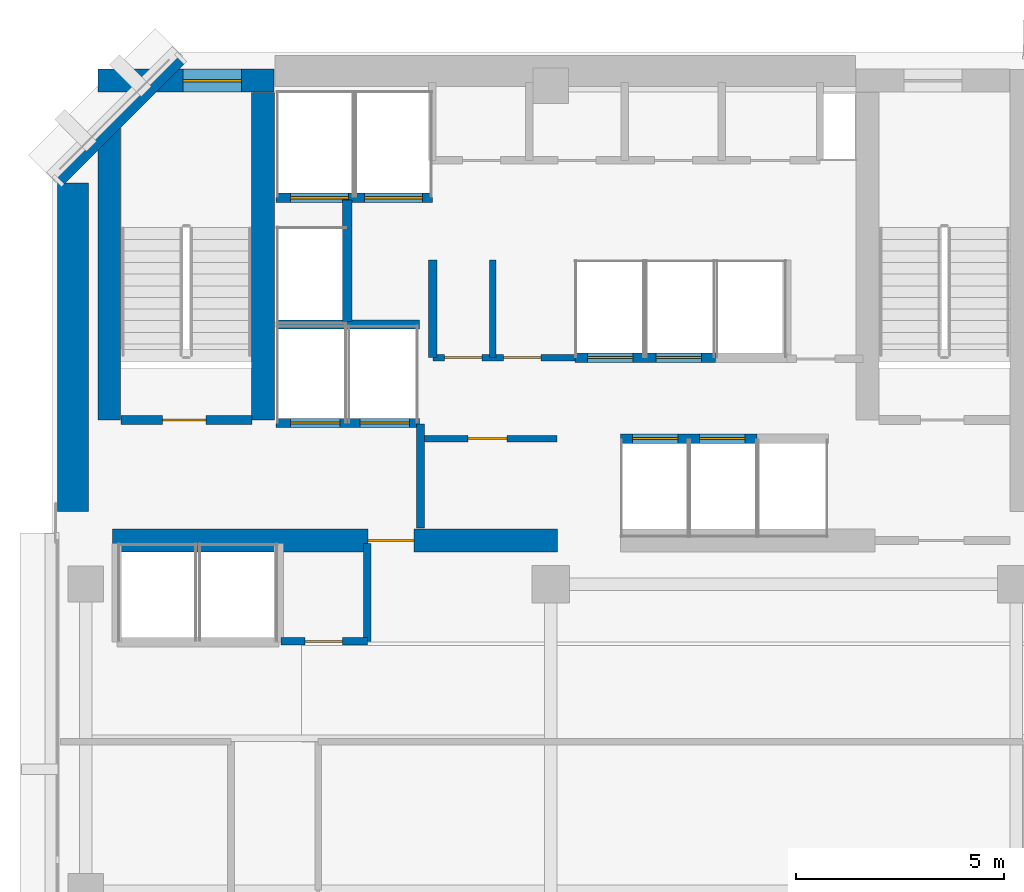
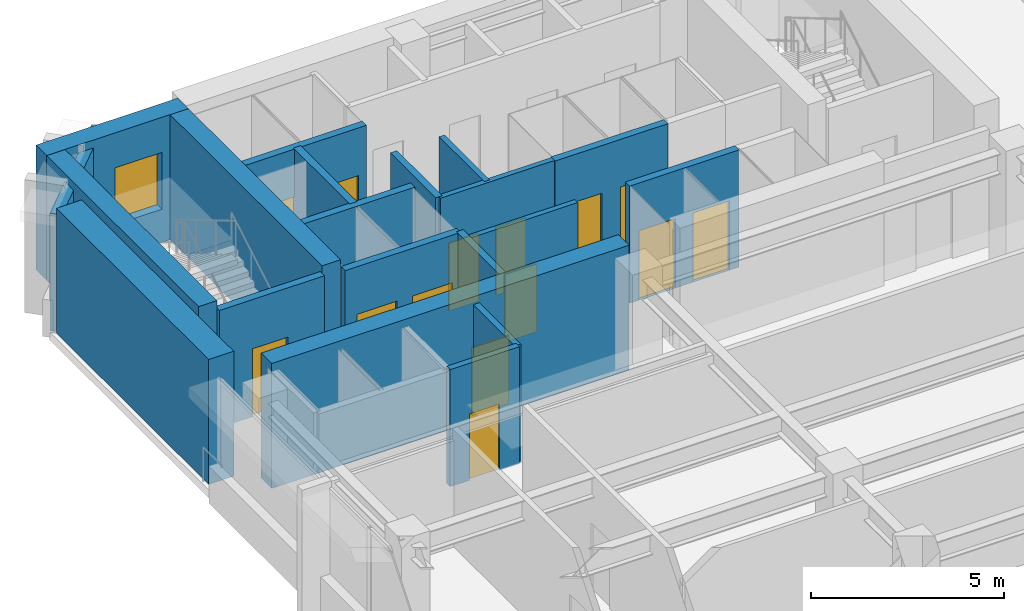
# One storey, part 7 of 11: 20 walls, 14 doors, 1 window, 15 openings.
"""IFC4 building model written with IfcOpenShell, lengths in metres."""

from ifc_helpers import new_model, si_unit, direction, frame, frame_2d, origin, place, context, subcontext, project, spatial, rectangle, extrude, material, layer, layer_set, type_object, element, fill, save


model = new_model("IFC4")

# Units and contexts
model_context = context("Model", 3, precision=1e-05, world=origin(), true_north=direction((0.0, 1.0)))
body_context = subcontext(model_context, "Body", "Model", "MODEL_VIEW")
ifc_project = project(units=[si_unit("LENGTHUNIT", "METRE"), si_unit("AREAUNIT", "SQUARE_METRE"), si_unit("VOLUMEUNIT", "CUBIC_METRE"), si_unit("PLANEANGLEUNIT", "RADIAN"), si_unit("MASSUNIT", "GRAM", prefix="KILO")], contexts=[model_context])

# Site, building, storey
site_placement = place(None, origin())
site = spatial("IfcSite", under=ifc_project, at=site_placement, CompositionType="ELEMENT")
building_placement = place(site_placement, origin())
building = spatial("IfcBuilding", under=site, at=building_placement, Name="Kefirva Bronze Tower", CompositionType="ELEMENT")
storey_placement = place(building_placement, frame((0.0, 0.0, 134.969970703125)))
storey = spatial("IfcBuildingStorey", under=building, at=storey_placement, Name="L32", CompositionType="ELEMENT", Elevation=134.969970703125)

# Wall, opening, door
ifc_material_1 = material(Name="Gypsum fireboard shaftwall")
ifc_layer_1 = layer(ifc_material_1, 0.219970703125, Name="Gypsum fireboard shaftwall")
ifc_layer_set_1 = layer_set([ifc_layer_1], Name="Gypsum fireboard shaftwall")
wall_type_1 = type_object("IfcWallType", Name="Fire-Rated Shaft Enclosure Wall 220mm", PredefinedType="PARTITIONING", material=ifc_layer_set_1)
wall_1_placement = place(storey_placement, frame((1.64990234375, 37.14990234375, 0.0), z_axis=(0.0, 0.0, 1.0), x_axis=(1.0, 0.0, 0.0)))
wall_1 = element("IfcWall", 1, at=wall_1_placement, inside=storey, type_object=wall_type_1, Name="L32 Partition W-L32-ST1S", PredefinedType="PARTITIONING", context=body_context, shape_type="SweptSolid", body=[
    extrude(rectangle(XDim=3.150146484375, YDim=0.219970703125, at=frame_2d((1.5751953125, 0.0))), origin(), (0.0, 0.0, 1.0), 3.7099609375),
])
opening_1_placement = place(wall_1_placement, frame((2.050048828125, 0.0, 0.0), z_axis=(0.0, 0.0, 1.0), x_axis=(-1.0, 0.0, 0.0)))
opening_1 = element("IfcOpeningElement", 2, at=opening_1_placement, cuts=wall_1, Name="Opening L32-D001", PredefinedType="OPENING", context=body_context, shape_type="SweptSolid", body=[
    extrude(rectangle(XDim=1.050048828125, YDim=2.14990234375, at=frame_2d((0.52490234375, 1.074951171875))), frame((0.0, 0.1201171875, 0.0), z_axis=(0.0, -1.0, 0.0), x_axis=(1.0, 0.0, 0.0)), (0.0, 0.0, 1.0), 0.239990234375),
])
ifc_material_2 = material(Name="Painted galvanized steel", Category="steel")
door_type_1 = type_object("IfcDoorType", Name="Fire Stair Enclosure Door 1050x2150 FD90S", OperationType="NOTDEFINED", PredefinedType="DOOR", material=ifc_material_2)
door_1_placement = place(opening_1_placement, origin())
door_1 = element("IfcDoor", 3, at=door_1_placement, inside=storey, type_object=door_type_1, Name="Door L32-D001", OperationType="SINGLE_SWING_RIGHT", OverallHeight=2.14990234375, OverallWidth=1.050048828125, PredefinedType="DOOR", context=body_context, shape_type="SweptSolid", body=[
    extrude(rectangle(XDim=1.050048828125, YDim=2.14990234375, at=frame_2d((0.52490234375, 1.074951171875))), frame((0.0, 0.02490234375, 0.0), z_axis=(0.0, -1.0, 0.0), x_axis=(1.0, 0.0, 0.0)), (0.0, 0.0, 1.0), 0.050048828125),
])
fill(opening_1, door_1)

# Wall, openings, doors
wall_2_placement = place(storey_placement, frame((5.3798828125, 37.080078125, 0.0), z_axis=(0.0, 0.0, 1.0), x_axis=(1.0, 0.0, 0.0)))
wall_2 = element("IfcWall", 4, at=wall_2_placement, inside=storey, type_object=wall_type_1, Name="L32 Partition W-L32-FFS", PredefinedType="PARTITIONING", context=body_context, shape_type="SweptSolid", body=[
    extrude(rectangle(XDim=3.460205078125, YDim=0.219970703125, at=frame_2d((1.72998046875, 0.0))), origin(), (0.0, 0.0, 1.0), 3.7099609375),
])
opening_2_placement = place(wall_2_placement, frame((1.550048828125, 0.0, 0.0), z_axis=(0.0, 0.0, 1.0), x_axis=(-1.0, 0.0, 0.0)))
opening_2 = element("IfcOpeningElement", 5, at=opening_2_placement, cuts=wall_2, Name="Opening L32-LD-FF1", PredefinedType="OPENING", context=body_context, shape_type="SweptSolid", body=[
    extrude(rectangle(XDim=1.199951171875, YDim=2.199951171875, at=frame_2d((0.60009765625, 1.10009765625))), frame((0.0, 0.1201171875, 0.0), z_axis=(0.0, -1.0, 0.0), x_axis=(1.0, 0.0, 0.0)), (0.0, 0.0, 1.0), 0.239990234375),
])
opening_3_placement = place(wall_2_placement, frame((3.219970703125, 0.0, 0.0), z_axis=(0.0, 0.0, 1.0), x_axis=(-1.0, 0.0, 0.0)))
opening_3 = element("IfcOpeningElement", 6, at=opening_3_placement, cuts=wall_2, Name="Opening L32-LD-FF2", PredefinedType="OPENING", context=body_context, shape_type="SweptSolid", body=[
    extrude(rectangle(XDim=1.199951171875, YDim=2.199951171875, at=frame_2d((0.60009765625, 1.10009765625))), frame((0.0, 0.1201171875, 0.0), z_axis=(0.0, -1.0, 0.0), x_axis=(1.0, 0.0, 0.0)), (0.0, 0.0, 1.0), 0.239990234375),
])
ifc_material_3 = material(Name="Stainless steel 316", Category="steel")
door_type_2 = type_object("IfcDoorType", Name="Firefighting Lift Sliding Door 1200x2200", OperationType="SLIDING_TO_RIGHT", PredefinedType="DOOR", material=ifc_material_3)
door_2_placement = place(opening_2_placement, origin())
door_2 = element("IfcDoor", 7, at=door_2_placement, inside=storey, type_object=door_type_2, Name="Door L32-LD-FF1", OperationType="SLIDING_TO_RIGHT", OverallHeight=2.199951171875, OverallWidth=1.199951171875, PredefinedType="DOOR", context=body_context, shape_type="SweptSolid", body=[
    extrude(rectangle(XDim=1.199951171875, YDim=2.199951171875, at=frame_2d((0.60009765625, 1.10009765625))), frame((0.0, 0.02490234375, 0.0), z_axis=(0.0, -1.0, 0.0), x_axis=(1.0, 0.0, 0.0)), (0.0, 0.0, 1.0), 0.050048828125),
])
fill(opening_2, door_2)
door_3_placement = place(opening_3_placement, origin())
door_3 = element("IfcDoor", 8, at=door_3_placement, inside=storey, type_object=door_type_2, Name="Door L32-LD-FF2", OperationType="SLIDING_TO_RIGHT", OverallHeight=2.199951171875, OverallWidth=1.199951171875, PredefinedType="DOOR", context=body_context, shape_type="SweptSolid", body=[
    extrude(rectangle(XDim=1.199951171875, YDim=2.199951171875, at=frame_2d((0.60009765625, 1.10009765625))), frame((0.0, 0.02490234375, 0.0), z_axis=(0.0, -1.0, 0.0), x_axis=(1.0, 0.0, 0.0)), (0.0, 0.0, 1.0), 0.050048828125),
])
fill(opening_3, door_3)

# Wall
wall_3_placement = place(storey_placement, frame((5.3798828125, 39.449951171875, 0.0), z_axis=(0.0, 0.0, 1.0), x_axis=(1.0, 0.0, 0.0)))
element("IfcWall", 9, at=wall_3_placement, inside=storey, type_object=wall_type_1, Name="L32 Partition W-L32-FFN", PredefinedType="PARTITIONING", context=body_context, shape_type="SweptSolid", body=[
    extrude(rectangle(XDim=3.460205078125, YDim=0.219970703125, at=frame_2d((1.72998046875, 0.0))), origin(), (0.0, 0.0, 1.0), 3.7099609375),
])

# Wall, openings, doors
wall_4_placement = place(storey_placement, frame((5.3798828125, 42.5, 0.0), z_axis=(0.0, 0.0, 1.0), x_axis=(1.0, 0.0, 0.0)))
wall_4 = element("IfcWall", 10, at=wall_4_placement, inside=storey, type_object=wall_type_1, Name="L32 Partition W-L32-SVS", PredefinedType="PARTITIONING", context=body_context, shape_type="SweptSolid", body=[
    extrude(rectangle(XDim=3.77001953125, YDim=0.219970703125, at=frame_2d((1.885009765625, 0.0))), origin(), (0.0, 0.0, 1.0), 3.7099609375),
])
opening_4_placement = place(wall_4_placement, frame((1.75, 0.0, 0.0), z_axis=(0.0, 0.0, 1.0), x_axis=(-1.0, 0.0, 0.0)))
opening_4 = element("IfcOpeningElement", 11, at=opening_4_placement, cuts=wall_4, Name="Opening L32-LD-SV1", PredefinedType="OPENING", context=body_context, shape_type="SweptSolid", body=[
    extrude(rectangle(XDim=1.39990234375, YDim=2.199951171875, at=frame_2d((0.699951171875, 1.10009765625))), frame((0.0, 0.1201171875, 0.0), z_axis=(0.0, -1.0, 0.0), x_axis=(1.0, 0.0, 0.0)), (0.0, 0.0, 1.0), 0.239990234375),
])
opening_5_placement = place(wall_4_placement, frame((3.52978515625, 0.0, 0.0), z_axis=(0.0, 0.0, 1.0), x_axis=(-1.0, 0.0, 0.0)))
opening_5 = element("IfcOpeningElement", 12, at=opening_5_placement, cuts=wall_4, Name="Opening L32-LD-SV2", PredefinedType="OPENING", context=body_context, shape_type="SweptSolid", body=[
    extrude(rectangle(XDim=1.39990234375, YDim=2.199951171875, at=frame_2d((0.699951171875, 1.10009765625))), frame((0.0, 0.1201171875, 0.0), z_axis=(0.0, -1.0, 0.0), x_axis=(1.0, 0.0, 0.0)), (0.0, 0.0, 1.0), 0.239990234375),
])
door_type_3 = type_object("IfcDoorType", Name="Goods Lift Bi-Parting Sliding Door 1400x2200", OperationType="SLIDING_TO_LEFT", PredefinedType="DOOR", material=ifc_material_3)
door_4_placement = place(opening_4_placement, origin())
door_4 = element("IfcDoor", 13, at=door_4_placement, inside=storey, type_object=door_type_3, Name="Door L32-LD-SV1", OperationType="SLIDING_TO_LEFT", OverallHeight=2.199951171875, OverallWidth=1.39990234375, PredefinedType="DOOR", context=body_context, shape_type="SweptSolid", body=[
    extrude(rectangle(XDim=1.39990234375, YDim=2.199951171875, at=frame_2d((0.699951171875, 1.10009765625))), frame((0.0, 0.02490234375, 0.0), z_axis=(0.0, -1.0, 0.0), x_axis=(1.0, 0.0, 0.0)), (0.0, 0.0, 1.0), 0.050048828125),
])
fill(opening_4, door_4)
door_5_placement = place(opening_5_placement, origin())
door_5 = element("IfcDoor", 14, at=door_5_placement, inside=storey, type_object=door_type_3, Name="Door L32-LD-SV2", OperationType="SLIDING_TO_LEFT", OverallHeight=2.199951171875, OverallWidth=1.39990234375, PredefinedType="DOOR", context=body_context, shape_type="SweptSolid", body=[
    extrude(rectangle(XDim=1.39990234375, YDim=2.199951171875, at=frame_2d((0.699951171875, 1.10009765625))), frame((0.0, 0.02490234375, 0.0), z_axis=(0.0, -1.0, 0.0), x_axis=(1.0, 0.0, 0.0)), (0.0, 0.0, 1.0), 0.050048828125),
])
fill(opening_5, door_5)

# Walls
wall_5_placement = place(storey_placement, frame((7.10009765625, 39.52001953125, 0.0), z_axis=(0.0, 0.0, 1.0), x_axis=(0.0, 1.0, 0.0)))
element("IfcWall", 15, at=wall_5_placement, inside=storey, type_object=wall_type_1, Name="L32 Partition W-L32-HP3E", PredefinedType="PARTITIONING", context=body_context, shape_type="SweptSolid", body=[
    extrude(rectangle(XDim=2.929931640625, YDim=0.219970703125, at=frame_2d((1.46484375, 0.0))), origin(), (0.0, 0.0, 1.0), 3.7099609375),
])
wall_6_placement = place(storey_placement, frame((9.159912109375, 38.64990234375, 0.0), z_axis=(0.0, 0.0, 1.0), x_axis=(0.0, 1.0, 0.0)))
element("IfcWall", 16, at=wall_6_placement, inside=storey, type_object=wall_type_1, Name="L32 Partition W-L32-LP3W", PredefinedType="PARTITIONING", context=body_context, shape_type="SweptSolid", body=[
    extrude(rectangle(XDim=2.35009765625, YDim=0.199951171875, at=frame_2d((1.175048828125, 0.0))), origin(), (0.0, 0.0, 1.0), 3.7099609375),
])

# Wall, openings, doors
wall_7_placement = place(storey_placement, frame((13.679931640625, 36.699951171875, 0.0), z_axis=(0.0, 0.0, 1.0), x_axis=(1.0, 0.0, 0.0)))
wall_7 = element("IfcWall", 17, at=wall_7_placement, inside=storey, type_object=wall_type_1, Name="L32 Partition W-L32-MPS", PredefinedType="PARTITIONING", context=body_context, shape_type="SweptSolid", body=[
    extrude(rectangle(XDim=3.280029296875, YDim=0.219970703125, at=frame_2d((1.64013671875, 0.0))), origin(), (0.0, 0.0, 1.0), 3.7099609375),
])
opening_6_placement = place(wall_7_placement, frame((0.280029296875, 0.0, 0.0)))
opening_6 = element("IfcOpeningElement", 18, at=opening_6_placement, cuts=wall_7, Name="Opening L32-LD-MP1", PredefinedType="OPENING", context=body_context, shape_type="SweptSolid", body=[
    extrude(rectangle(XDim=1.10009765625, YDim=2.199951171875, at=frame_2d((0.550048828125, 1.10009765625))), frame((0.0, 0.1201171875, 0.0), z_axis=(0.0, -1.0, 0.0), x_axis=(1.0, 0.0, 0.0)), (0.0, 0.0, 1.0), 0.239990234375),
])
opening_7_placement = place(wall_7_placement, frame((1.89990234375, 0.0, 0.0)))
opening_7 = element("IfcOpeningElement", 19, at=opening_7_placement, cuts=wall_7, Name="Opening L32-LD-MP2", PredefinedType="OPENING", context=body_context, shape_type="SweptSolid", body=[
    extrude(rectangle(XDim=1.10009765625, YDim=2.199951171875, at=frame_2d((0.550048828125, 1.10009765625))), frame((0.0, 0.1201171875, 0.0), z_axis=(0.0, -1.0, 0.0), x_axis=(1.0, 0.0, 0.0)), (0.0, 0.0, 1.0), 0.239990234375),
])
door_type_4 = type_object("IfcDoorType", Name="Passenger Lift Sliding Landing Door 1100x2200", OperationType="SLIDING_TO_LEFT", PredefinedType="DOOR", material=ifc_material_3)
door_6_placement = place(opening_6_placement, origin())
door_6 = element("IfcDoor", 20, at=door_6_placement, inside=storey, type_object=door_type_4, Name="Door L32-LD-MP1", OperationType="SLIDING_TO_RIGHT", OverallHeight=2.199951171875, OverallWidth=1.10009765625, PredefinedType="DOOR", context=body_context, shape_type="SweptSolid", body=[
    extrude(rectangle(XDim=1.10009765625, YDim=2.199951171875, at=frame_2d((0.550048828125, 1.10009765625))), frame((0.0, 0.02490234375, 0.0), z_axis=(0.0, -1.0, 0.0), x_axis=(1.0, 0.0, 0.0)), (0.0, 0.0, 1.0), 0.050048828125),
])
fill(opening_6, door_6)
door_7_placement = place(opening_7_placement, origin())
door_7 = element("IfcDoor", 21, at=door_7_placement, inside=storey, type_object=door_type_4, Name="Door L32-LD-MP2", OperationType="SLIDING_TO_RIGHT", OverallHeight=2.199951171875, OverallWidth=1.10009765625, PredefinedType="DOOR", context=body_context, shape_type="SweptSolid", body=[
    extrude(rectangle(XDim=1.10009765625, YDim=2.199951171875, at=frame_2d((0.550048828125, 1.10009765625))), frame((0.0, 0.02490234375, 0.0), z_axis=(0.0, -1.0, 0.0), x_axis=(1.0, 0.0, 0.0)), (0.0, 0.0, 1.0), 0.050048828125),
])
fill(opening_7, door_7)

wall_8_placement = place(storey_placement, frame((12.580078125, 38.64990234375, 0.0), z_axis=(0.0, 0.0, 1.0), x_axis=(1.0, 0.0, 0.0)))
wall_8 = element("IfcWall", 22, at=wall_8_placement, inside=storey, type_object=wall_type_1, Name="L32 Partition W-L32-MPN", PredefinedType="PARTITIONING", context=body_context, shape_type="SweptSolid", body=[
    extrude(rectangle(XDim=3.3798828125, YDim=0.219970703125, at=frame_2d((1.68994140625, 0.0))), origin(), (0.0, 0.0, 1.0), 3.7099609375),
])
opening_8_placement = place(wall_8_placement, frame((0.300048828125, 0.0, 0.0)))
opening_8 = element("IfcOpeningElement", 23, at=opening_8_placement, cuts=wall_8, Name="Opening L32-LD-MP3", PredefinedType="OPENING", context=body_context, shape_type="SweptSolid", body=[
    extrude(rectangle(XDim=1.10009765625, YDim=2.199951171875, at=frame_2d((0.550048828125, 1.10009765625))), frame((0.0, 0.1201171875, 0.0), z_axis=(0.0, -1.0, 0.0), x_axis=(1.0, 0.0, 0.0)), (0.0, 0.0, 1.0), 0.239990234375),
])
opening_9_placement = place(wall_8_placement, frame((1.949951171875, 0.0, 0.0)))
opening_9 = element("IfcOpeningElement", 24, at=opening_9_placement, cuts=wall_8, Name="Opening L32-LD-MP4", PredefinedType="OPENING", context=body_context, shape_type="SweptSolid", body=[
    extrude(rectangle(XDim=1.10009765625, YDim=2.199951171875, at=frame_2d((0.550048828125, 1.10009765625))), frame((0.0, 0.1201171875, 0.0), z_axis=(0.0, -1.0, 0.0), x_axis=(1.0, 0.0, 0.0)), (0.0, 0.0, 1.0), 0.239990234375),
])
door_8_placement = place(opening_8_placement, origin())
door_8 = element("IfcDoor", 25, at=door_8_placement, inside=storey, type_object=door_type_4, Name="Door L32-LD-MP3", OperationType="SLIDING_TO_RIGHT", OverallHeight=2.199951171875, OverallWidth=1.10009765625, PredefinedType="DOOR", context=body_context, shape_type="SweptSolid", body=[
    extrude(rectangle(XDim=1.10009765625, YDim=2.199951171875, at=frame_2d((0.550048828125, 1.10009765625))), frame((0.0, 0.02490234375, 0.0), z_axis=(0.0, -1.0, 0.0), x_axis=(1.0, 0.0, 0.0)), (0.0, 0.0, 1.0), 0.050048828125),
])
fill(opening_8, door_8)
door_9_placement = place(opening_9_placement, origin())
door_9 = element("IfcDoor", 26, at=door_9_placement, inside=storey, type_object=door_type_4, Name="Door L32-LD-MP4", OperationType="SLIDING_TO_RIGHT", OverallHeight=2.199951171875, OverallWidth=1.10009765625, PredefinedType="DOOR", context=body_context, shape_type="SweptSolid", body=[
    extrude(rectangle(XDim=1.10009765625, YDim=2.199951171875, at=frame_2d((0.550048828125, 1.10009765625))), frame((0.0, 0.02490234375, 0.0), z_axis=(0.0, -1.0, 0.0), x_axis=(1.0, 0.0, 0.0)), (0.0, 0.0, 1.0), 0.050048828125),
])
fill(opening_9, door_9)

# Walls
ifc_material_4 = material(Name="Gypsum fireboard barrier")
ifc_layer_2 = layer(ifc_material_4, 0.199951171875, Name="Gypsum fireboard barrier")
ifc_layer_set_2 = layer_set([ifc_layer_2], Name="Gypsum fireboard barrier")
wall_type_2 = type_object("IfcWallType", Name="Firefighting Lobby Barrier Wall 200mm", PredefinedType="PARTITIONING", material=ifc_layer_set_2)
wall_9_placement = place(storey_placement, frame((8.860107421875, 34.550048828125, 0.0), z_axis=(0.0, 0.0, 1.0), x_axis=(0.0, 1.0, 0.0)))
element("IfcWall", 27, at=wall_9_placement, inside=storey, type_object=wall_type_2, Name="L32 Partition W-L32-FFLE", PredefinedType="PARTITIONING", context=body_context, shape_type="SweptSolid", body=[
    extrude(rectangle(XDim=2.5, YDim=0.199951171875, at=frame_2d((1.25, 0.0))), origin(), (0.0, 0.0, 1.0), 3.7099609375),
])
ifc_material_5 = material(Name="Precast concrete C40/50", Category="concrete")
ifc_layer_3 = layer(ifc_material_5, 0.320068359375, Name="Precast concrete C40/50")
ifc_layer_set_3 = layer_set([ifc_layer_3], Name="Precast concrete C40/50")
wall_type_3 = type_object("IfcWallType", Name="Precast Insulated Exterior Wall 320mm", PredefinedType="SOLIDWALL", material=ifc_layer_set_3)
wall_10_placement = place(storey_placement, frame((3.07421875, 45.847900390625, 0.0), z_axis=(0.0, 0.0, 1.0), x_axis=(-0.707106781187, -0.707106781187, 0.0)))
element("IfcWall", 28, at=wall_10_placement, inside=storey, type_object=wall_type_3, Name="L32 Exterior Facade Wall 5", PredefinedType="SOLIDWALL", context=body_context, shape_type="SweptSolid", body=[
    extrude(rectangle(XDim=4.132568359375, YDim=0.320068359375, at=frame_2d((2.06640625, 0.0))), origin(), (0.0, 0.0, 1.0), 3.7099609375),
])

# Wall, opening, door
ifc_material_6 = material(Name="Gypsum acoustic partition")
ifc_layer_4 = layer(ifc_material_6, 0.159912109375, Name="Gypsum acoustic partition")
ifc_layer_set_4 = layer_set([ifc_layer_4], Name="Gypsum acoustic partition")
wall_type_4 = type_object("IfcWallType", Name="Protected Corridor Partition 160mm", PredefinedType="PARTITIONING", material=ifc_layer_set_4)
wall_11_placement = place(storey_placement, frame((8.89990234375, 36.699951171875, 0.0), z_axis=(0.0, 0.0, 1.0), x_axis=(1.0, 0.0, 0.0)))
wall_11 = element("IfcWall", 29, at=wall_11_placement, inside=storey, type_object=wall_type_4, Name="L32 Partition W-L32-RECLP1", PredefinedType="PARTITIONING", context=body_context, shape_type="SweptSolid", body=[
    extrude(rectangle(XDim=3.25, YDim=0.159912109375, at=frame_2d((1.625, 0.0))), origin(), (0.0, 0.0, 1.0), 3.7099609375),
])
opening_10_placement = place(wall_11_placement, frame((1.10009765625, 0.0, 0.0)))
opening_10 = element("IfcOpeningElement", 30, at=opening_10_placement, cuts=wall_11, Name="Opening L32-D-RECLP1", PredefinedType="OPENING", context=body_context, shape_type="SweptSolid", body=[
    extrude(rectangle(XDim=0.949951171875, YDim=2.14990234375, at=frame_2d((0.47509765625, 1.074951171875))), frame((0.0, 0.08984375, 0.0), z_axis=(0.0, -1.0, 0.0), x_axis=(1.0, 0.0, 0.0)), (0.0, 0.0, 1.0), 0.179931640625),
])
ifc_material_7 = material(Name="Acoustic hardwood oak", Category="wood")
door_type_5 = type_object("IfcDoorType", Name="Office & Meeting Room Door 950x2150", OperationType="NOTDEFINED", PredefinedType="DOOR", material=ifc_material_7)
door_10_placement = place(opening_10_placement, origin())
door_10 = element("IfcDoor", 31, at=door_10_placement, inside=storey, type_object=door_type_5, Name="Door L32-D-RECLP1", OperationType="SINGLE_SWING_RIGHT", OverallHeight=2.14990234375, OverallWidth=0.949951171875, PredefinedType="DOOR", context=body_context, shape_type="SweptSolid", body=[
    extrude(rectangle(XDim=0.949951171875, YDim=2.14990234375, at=frame_2d((0.47509765625, 1.074951171875))), frame((0.0, 0.02490234375, 0.0), z_axis=(0.0, -1.0, 0.0), x_axis=(1.0, 0.0, 0.0)), (0.0, 0.0, 1.0), 0.050048828125),
])
fill(opening_10, door_10)

# Wall, openings, doors
wall_12_placement = place(storey_placement, frame((9.159912109375, 38.64990234375, 0.0), z_axis=(0.0, 0.0, 1.0), x_axis=(1.0, 0.0, 0.0)))
wall_12 = element("IfcWall", 32, at=wall_12_placement, inside=storey, type_object=wall_type_4, Name="L32 Partition W-L32-RECLP2", PredefinedType="PARTITIONING", context=body_context, shape_type="SweptSolid", body=[
    extrude(rectangle(XDim=3.420166015625, YDim=0.159912109375, at=frame_2d((1.7099609375, 0.0))), origin(), (0.0, 0.0, 1.0), 3.7099609375),
])
opening_11_placement = place(wall_12_placement, frame((1.179931640625, 0.0, 0.0), z_axis=(0.0, 0.0, 1.0), x_axis=(-1.0, 0.0, 0.0)))
opening_11 = element("IfcOpeningElement", 33, at=opening_11_placement, cuts=wall_12, Name="Opening L32-D-RECLP2A", PredefinedType="OPENING", context=body_context, shape_type="SweptSolid", body=[
    extrude(rectangle(XDim=0.89990234375, YDim=2.14990234375, at=frame_2d((0.449951171875, 1.074951171875))), frame((0.0, 0.08984375, 0.0), z_axis=(0.0, -1.0, 0.0), x_axis=(1.0, 0.0, 0.0)), (0.0, 0.0, 1.0), 0.179931640625),
])
opening_12_placement = place(wall_12_placement, frame((2.599853515625, 0.0, 0.0), z_axis=(0.0, 0.0, 1.0), x_axis=(-1.0, 0.0, 0.0)))
opening_12 = element("IfcOpeningElement", 34, at=opening_12_placement, cuts=wall_12, Name="Opening L32-D-RECLP2B", PredefinedType="OPENING", context=body_context, shape_type="SweptSolid", body=[
    extrude(rectangle(XDim=0.89990234375, YDim=2.14990234375, at=frame_2d((0.449951171875, 1.074951171875))), frame((0.0, 0.08984375, 0.0), z_axis=(0.0, -1.0, 0.0), x_axis=(1.0, 0.0, 0.0)), (0.0, 0.0, 1.0), 0.179931640625),
])
door_type_6 = type_object("IfcDoorType", Name="Core Archive & Server Fire Door 900x2150 FD60S", OperationType="NOTDEFINED", PredefinedType="DOOR", material=ifc_material_2)
door_11_placement = place(opening_11_placement, origin())
door_11 = element("IfcDoor", 35, at=door_11_placement, inside=storey, type_object=door_type_6, Name="Door L32-D-RECLP2A", OperationType="SINGLE_SWING_LEFT", OverallHeight=2.14990234375, OverallWidth=0.89990234375, PredefinedType="DOOR", context=body_context, shape_type="SweptSolid", body=[
    extrude(rectangle(XDim=0.89990234375, YDim=2.14990234375, at=frame_2d((0.449951171875, 1.074951171875))), frame((0.0, 0.02490234375, 0.0), z_axis=(0.0, -1.0, 0.0), x_axis=(1.0, 0.0, 0.0)), (0.0, 0.0, 1.0), 0.050048828125),
])
fill(opening_11, door_11)
door_12_placement = place(opening_12_placement, origin())
door_12 = element("IfcDoor", 36, at=door_12_placement, inside=storey, type_object=door_type_6, Name="Door L32-D-RECLP2B", OperationType="SINGLE_SWING_RIGHT", OverallHeight=2.14990234375, OverallWidth=0.89990234375, PredefinedType="DOOR", context=body_context, shape_type="SweptSolid", body=[
    extrude(rectangle(XDim=0.89990234375, YDim=2.14990234375, at=frame_2d((0.449951171875, 1.074951171875))), frame((0.0, 0.02490234375, 0.0), z_axis=(0.0, -1.0, 0.0), x_axis=(1.0, 0.0, 0.0)), (0.0, 0.0, 1.0), 0.050048828125),
])
fill(opening_12, door_12)

# Wall
wall_13_placement = place(storey_placement, frame((10.60009765625, 38.64990234375, 0.0), z_axis=(0.0, 0.0, 1.0), x_axis=(0.0, 1.0, 0.0)))
element("IfcWall", 37, at=wall_13_placement, inside=storey, type_object=wall_type_4, Name="L32 Partition W-L32-RECLP2D", PredefinedType="PARTITIONING", context=body_context, shape_type="SweptSolid", body=[
    extrude(rectangle(XDim=2.35009765625, YDim=0.159912109375, at=frame_2d((1.175048828125, 0.0))), origin(), (0.0, 0.0, 1.0), 3.7099609375),
])

# Wall, opening, window
ifc_material_8 = material(Name="Concrete C50/60", Category="concrete")
ifc_layer_5 = layer(ifc_material_8, 0.550048828125, Name="Concrete C50/60")
ifc_layer_set_5 = layer_set([ifc_layer_5], Name="Concrete C50/60")
wall_type_5 = type_object("IfcWallType", Name="RC Rear Core Exterior Wall 550mm", PredefinedType="SHEAR", material=ifc_layer_set_5)
wall_14_placement = place(storey_placement, frame((1.10009765625, 45.320068359375, 0.0), z_axis=(0.0, 0.0, 1.0), x_axis=(1.0, 0.0, 0.0)))
wall_14 = element("IfcWall", 38, at=wall_14_placement, inside=storey, type_object=wall_type_5, Name="L32 Stair 1 North Shear Wall", PredefinedType="SHEAR", context=body_context, shape_type="SweptSolid", body=[
    extrude(rectangle(XDim=4.239990234375, YDim=0.550048828125, at=frame_2d((2.1201171875, 0.0))), origin(), (0.0, 0.0, 1.0), 3.9599609375),
])
opening_13_placement = place(wall_14_placement, frame((2.050048828125, 0.0, 1.050048828125)))
opening_13 = element("IfcOpeningElement", 39, at=opening_13_placement, cuts=wall_14, Name="Opening WN-03", PredefinedType="OPENING", context=body_context, shape_type="SweptSolid", body=[
    extrude(rectangle(XDim=1.39990234375, YDim=1.800048828125, at=frame_2d((0.699951171875, 0.89990234375))), frame((0.0, 0.28515625, 0.0), z_axis=(0.0, -1.0, 0.0), x_axis=(1.0, 0.0, 0.0)), (0.0, 0.0, 1.0), 0.570068359375),
])
ifc_material_9 = material(Name="Laminated low-E double glazing", Category="glass")
window_type = type_object("IfcWindowType", Name="Rear-Core Stair Daylight Window 1400x1800", PartitioningType="SINGLE_PANEL", PredefinedType="WINDOW", material=ifc_material_9)
window_placement = place(opening_13_placement, origin())
window = element("IfcWindow", 40, at=window_placement, inside=storey, type_object=window_type, Name="L32 Stair 1 Daylight Window", OverallHeight=1.800048828125, OverallWidth=1.39990234375, PartitioningType="SINGLE_PANEL", PredefinedType="WINDOW", context=body_context, shape_type="SweptSolid", body=[
    extrude(rectangle(XDim=1.39990234375, YDim=1.800048828125, at=frame_2d((0.699951171875, 0.89990234375))), frame((0.0, 0.030029296875, 0.0), z_axis=(0.0, -1.0, 0.0), x_axis=(1.0, 0.0, 0.0)), (0.0, 0.0, 1.0), 0.06005859375),
])
fill(opening_13, window)

# Walls
ifc_material_10 = material(Name="Concrete C60/75", Category="concrete")
ifc_layer_6 = layer(ifc_material_10, 0.75, Name="Concrete C60/75")
ifc_layer_set_6 = layer_set([ifc_layer_6], Name="Concrete C60/75")
wall_type_6 = type_object("IfcWallType", Name="RC Rear Core Exterior Wall 750mm", PredefinedType="SHEAR", material=ifc_layer_set_6)
wall_15_placement = place(storey_placement, frame((0.5, 34.949951171875, 0.0), z_axis=(0.0, 0.0, 1.0), x_axis=(0.0, 1.0, 0.0)))
element("IfcWall", 41, at=wall_15_placement, inside=storey, type_object=wall_type_6, Name="L32 Rear Core West Shear Wall", PredefinedType="SHEAR", context=body_context, shape_type="SweptSolid", body=[
    extrude(rectangle(XDim=7.900146484375, YDim=0.75, at=frame_2d((3.9501953125, 0.0))), origin(), (0.0, 0.0, 1.0), 3.9599609375),
])
ifc_layer_7 = layer(ifc_material_8, 0.550048828125, Name="Concrete C50/60")
ifc_layer_set_7 = layer_set([ifc_layer_7], Name="Concrete C50/60")
wall_type_7 = type_object("IfcWallType", Name="RC Rear Core Interior Wall 550mm", PredefinedType="SHEAR", material=ifc_layer_set_7)
for number, where, z_axis, x_axis, name in (
    (42, (1.3701171875, 37.14990234375, 0.0), (0.0, 0.0, 1.0), (0.0, 1.0, 0.0), "L32 Stair 1 West Shear Wall"),
    (43, (5.070068359375, 37.14990234375, 0.0), (0.0, 0.0, 1.0), (0.0, 1.0, 0.0), "L32 Stair 1 East Shear Wall"),
):
    element("IfcWall", number, at=place(storey_placement, frame(where, z_axis=z_axis, x_axis=x_axis)), inside=storey, type_object=wall_type_7, Name=name, PredefinedType="SHEAR", context=body_context, shape_type="SweptSolid", body=[
        extrude(rectangle(XDim=7.89013671875, YDim=0.550048828125, at=frame_2d((3.945068359375, 0.0))), origin(), (0.0, 0.0, 1.0), 3.9599609375),
    ])

# Wall, opening, door
ifc_layer_8 = layer(ifc_material_10, 0.75, Name="Concrete C60/75")
ifc_layer_set_8 = layer_set([ifc_layer_8], Name="Concrete C60/75")
wall_type_8 = type_object("IfcWallType", Name="RC Rear Core Interior Wall 750mm", PredefinedType="SHEAR", material=ifc_layer_set_8)
wall_16_placement = place(storey_placement, frame((1.449951171875, 34.25, 0.0), z_axis=(0.0, 0.0, 1.0), x_axis=(1.0, 0.0, 0.0)))
wall_16 = element("IfcWall", 44, at=wall_16_placement, inside=storey, type_object=wall_type_8, Name="L32 Rear Core South-West Shear Wall", PredefinedType="SHEAR", context=body_context, shape_type="SweptSolid", body=[
    extrude(rectangle(XDim=10.7099609375, YDim=0.550048828125, at=frame_2d((5.35498046875, 0.0))), origin(), (0.0, 0.0, 1.0), 3.9599609375),
])
opening_14_placement = place(wall_16_placement, frame((7.25, 0.0, 0.0), z_axis=(0.0, 0.0, 1.0), x_axis=(-1.0, 0.0, 0.0)))
opening_14 = element("IfcOpeningElement", 45, at=opening_14_placement, cuts=wall_16, Name="Opening L32-D002", PredefinedType="OPENING", context=body_context, shape_type="SweptSolid", body=[
    extrude(rectangle(XDim=1.10009765625, YDim=2.14990234375, at=frame_2d((0.550048828125, 1.074951171875))), frame((0.0, 0.28515625, 0.0), z_axis=(0.0, -1.0, 0.0), x_axis=(1.0, 0.0, 0.0)), (0.0, 0.0, 1.0), 0.570068359375),
])
door_type_7 = type_object("IfcDoorType", Name="Firefighting Lobby Smoke Door 1100x2150 FD60S", OperationType="NOTDEFINED", PredefinedType="DOOR", material=ifc_material_2)
door_13_placement = place(opening_14_placement, origin())
door_13 = element("IfcDoor", 46, at=door_13_placement, inside=storey, type_object=door_type_7, Name="Door L32-D002", OperationType="SINGLE_SWING_LEFT", OverallHeight=2.14990234375, OverallWidth=1.10009765625, PredefinedType="DOOR", context=body_context, shape_type="SweptSolid", body=[
    extrude(rectangle(XDim=1.10009765625, YDim=2.14990234375, at=frame_2d((0.550048828125, 1.074951171875))), frame((0.0, 0.02490234375, 0.0), z_axis=(0.0, -1.0, 0.0), x_axis=(1.0, 0.0, 0.0)), (0.0, 0.0, 1.0), 0.050048828125),
])
fill(opening_14, door_13)

ifc_material_11 = material(Name="Moisture-resistant partition")
ifc_layer_9 = layer(ifc_material_11, 0.179931640625, Name="Moisture-resistant partition")
ifc_layer_set_9 = layer_set([ifc_layer_9], Name="Moisture-resistant partition")
wall_type_9 = type_object("IfcWallType", Name="Sanitary Plumbing Chase Wall 180mm", PredefinedType="PLUMBINGWALL", material=ifc_layer_set_9)
wall_17_placement = place(storey_placement, frame((5.5, 31.820068359375, 0.0), z_axis=(0.0, 0.0, 1.0), x_axis=(1.0, 0.0, 0.0)))
wall_17 = element("IfcWall", 47, at=wall_17_placement, inside=storey, type_object=wall_type_9, Name="L32 Partition W-L32-TCS", PredefinedType="PLUMBINGWALL", context=body_context, shape_type="SweptSolid", body=[
    extrude(rectangle(XDim=2.080078125, YDim=0.179931640625, at=frame_2d((1.0400390625, 0.0))), origin(), (0.0, 0.0, 1.0), 3.7099609375),
])
opening_15_placement = place(wall_17_placement, frame((1.47998046875, 0.0, 0.0), z_axis=(0.0, 0.0, 1.0), x_axis=(-1.0, 0.0, 0.0)))
opening_15 = element("IfcOpeningElement", 48, at=opening_15_placement, cuts=wall_17, Name="Opening L32-D-TCL1", PredefinedType="OPENING", context=body_context, shape_type="SweptSolid", body=[
    extrude(rectangle(XDim=0.89990234375, YDim=2.10009765625, at=frame_2d((0.449951171875, 1.050048828125))), frame((0.0, 0.10009765625, 0.0), z_axis=(0.0, -1.0, 0.0), x_axis=(1.0, 0.0, 0.0)), (0.0, 0.0, 1.0), 0.199951171875),
])
door_type_8 = type_object("IfcDoorType", Name="Telecom & Meter Fire Door 900x2100 FD60S", OperationType="NOTDEFINED", PredefinedType="DOOR", material=ifc_material_2)
door_14_placement = place(opening_15_placement, origin())
door_14 = element("IfcDoor", 49, at=door_14_placement, inside=storey, type_object=door_type_8, Name="Door L32-D-TCL1", OperationType="SINGLE_SWING_LEFT", OverallHeight=2.10009765625, OverallWidth=0.89990234375, PredefinedType="DOOR", context=body_context, shape_type="SweptSolid", body=[
    extrude(rectangle(XDim=0.89990234375, YDim=2.10009765625, at=frame_2d((0.449951171875, 1.050048828125))), frame((0.0, 0.02490234375, 0.0), z_axis=(0.0, -1.0, 0.0), x_axis=(1.0, 0.0, 0.0)), (0.0, 0.0, 1.0), 0.050048828125),
])
fill(opening_15, door_14)

# Wall
wall_18_placement = place(storey_placement, frame((7.580078125, 31.820068359375, 0.0), z_axis=(0.0, 0.0, 1.0), x_axis=(0.0, 1.0, 0.0)))
element("IfcWall", 50, at=wall_18_placement, inside=storey, type_object=wall_type_9, Name="L32 Partition W-L32-TCE", PredefinedType="PLUMBINGWALL", context=body_context, shape_type="SweptSolid", body=[
    extrude(rectangle(XDim=2.35986328125, YDim=0.179931640625, at=frame_2d((1.179931640625, 0.0))), origin(), (0.0, 0.0, 1.0), 3.7099609375),
])

save(model, "model.ifc")
